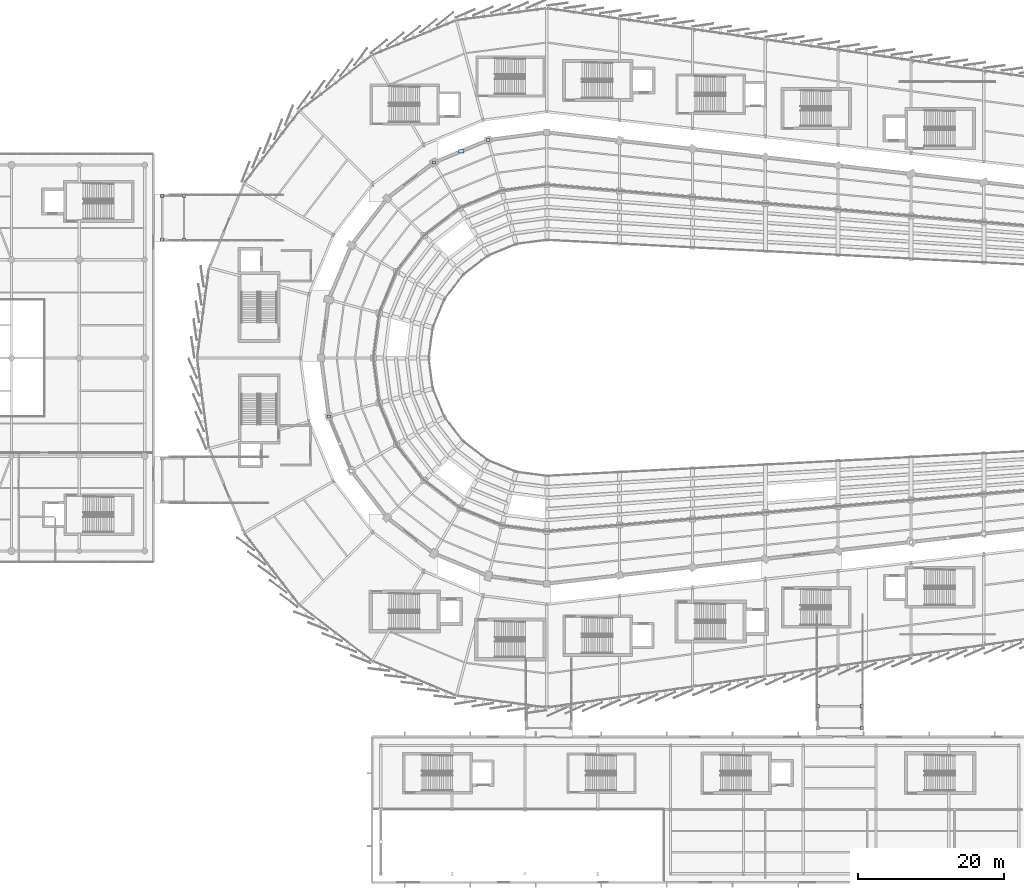
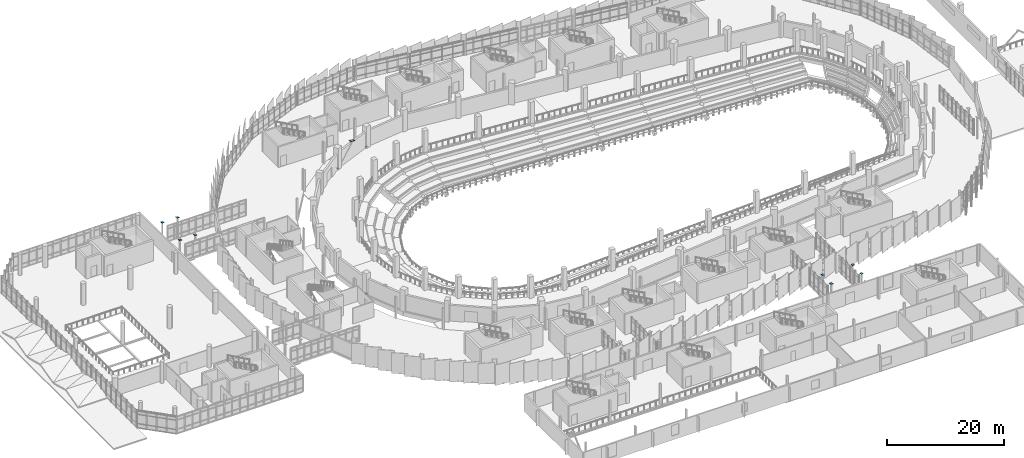
# One storey, part 104 of 134: 12 plates.
"""IFC4 building model written with IfcOpenShell, lengths in metres."""

from ifc_helpers import new_model, si_unit, direction, frame, origin, origin_2d, place, context, subcontext, project, spatial, rectangle, extrude, material, layer, layer_set, type_object, element, save


model = new_model("IFC4")

# Units and contexts
model_context = context("Model", 3, precision=1e-05, world=origin(), true_north=direction((0.0, 1.0)))
body_context = subcontext(model_context, "Body", "Model", "MODEL_VIEW")
ifc_project = project(units=[si_unit("LENGTHUNIT", "METRE"), si_unit("AREAUNIT", "SQUARE_METRE"), si_unit("VOLUMEUNIT", "CUBIC_METRE"), si_unit("PLANEANGLEUNIT", "RADIAN"), si_unit("MASSUNIT", "GRAM", prefix="KILO")], contexts=[model_context])

# Site, building, storey
site_placement = place(None, origin())
site = spatial("IfcSite", under=ifc_project, at=site_placement, CompositionType="ELEMENT")
building_placement = place(site_placement, origin())
building = spatial("IfcBuilding", under=site, at=building_placement, Name="Sohan Crest Arena", CompositionType="ELEMENT")
storey_placement = place(building_placement, frame((0.0, 0.0, 4.5)))
storey = spatial("IfcBuildingStorey", under=building, at=storey_placement, Name="L01", CompositionType="ELEMENT", Elevation=4.5)

# Plates
ifc_material = material(Name="Steel S355", Category="steel")
ifc_layer_1 = layer(ifc_material, 0.031982421875, Name="Steel S355")
ifc_layer_set_1 = layer_set([ifc_layer_1], Name="Steel S355")
plate_type_1 = type_object("IfcPlateType", Name="STR-PL-BP01", PredefinedType="USERDEFINED", material=ifc_layer_set_1)
for number, where, z_axis, x_axis, name in (
    (1, (45.199951171875, 94.25, 4.487548828125), (0.0, 0.0, 1.0), (1.0, 0.0, 0.0), "Hollow section end cap plate ECP-0039"),
    (2, (48.199951171875, 94.25, 4.487548828125), (0.0, 0.0, 1.0), (1.0, 0.0, 0.0), "Hollow section end cap plate ECP-0044"),
    (3, (45.199951171875, 100.25, 4.487548828125), (0.0, 0.0, 1.0), (1.0, 0.0, 0.0), "Hollow section end cap plate ECP-0049"),
    (4, (48.199951171875, 100.25, 4.487548828125), (0.0, 0.0, 1.0), (1.0, 0.0, 0.0), "Hollow section end cap plate ECP-0054"),
    (5, (135.25, 27.199951171875, 4.487548828125), (0.0, 0.0, 1.0), (1.0, 0.0, 0.0), "Hollow section end cap plate ECP-0099"),
    (6, (135.25, 30.199951171875, 4.487548828125), (0.0, 0.0, 1.0), (1.0, 0.0, 0.0), "Hollow section end cap plate ECP-0103"),
    (7, (141.25, 27.199951171875, 4.487548828125), (0.0, 0.0, 1.0), (1.0, 0.0, 0.0), "Hollow section end cap plate ECP-0107"),
    (8, (141.25, 30.199951171875, 4.487548828125), (0.0, 0.0, 1.0), (1.0, 0.0, 0.0), "Hollow section end cap plate ECP-0111"),
    (9, (89.97705078125, 107.944091796875, -0.012451171875), (0.0, 0.0, 1.0), (1.0, 0.0, 0.0), "Hollow section end cap plate ECP-0501"),
    (10, (82.5, 104.846923828125, -0.012451171875), (0.0, 0.0, 1.0), (1.0, 0.0, 0.0), "Hollow section end cap plate ECP-0502"),
    (11, (68.055908203125, 69.97705078125, -0.012451171875), (0.0, 0.0, 1.0), (1.0, 0.0, 0.0), "Hollow section end cap plate ECP-0509"),
):
    element("IfcPlate", number, at=place(storey_placement, frame(where, z_axis=z_axis, x_axis=x_axis)), inside=storey, type_object=plate_type_1, Name=name, ObjectType="BASE PLATE", PredefinedType="USERDEFINED", context=body_context, shape_type="SweptSolid", body=[
        extrude(rectangle(XDim=0.449951171875, YDim=0.449951171875, at=origin_2d()), origin(), (0.0, 0.0, 1.0), 0.02490234375),
    ])
ifc_layer_2 = layer(ifc_material, 0.02587890625, Name="Steel S355")
ifc_layer_set_2 = layer_set([ifc_layer_2], Name="Steel S355")
plate_type_2 = type_object("IfcPlateType", Name="STR-PL-SP05", PredefinedType="SHEET", material=ifc_layer_set_2)
plate_placement = place(storey_placement, frame((86.239013671875, 106.39501953125, 3.487060546875), z_axis=(0.0, 0.0, 1.0), x_axis=(1.0, 0.0, 0.0)))
element("IfcPlate", 12, at=plate_placement, inside=storey, type_object=plate_type_2, Name="Brace connection sheet plate SP-BR004", PredefinedType="SHEET", context=body_context, shape_type="SweptSolid", body=[
    extrude(rectangle(XDim=0.739990234375, YDim=0.4599609375, at=origin_2d()), origin(), (0.0, 0.0, 1.0), 0.02587890625),
])

save(model, "model.ifc")
